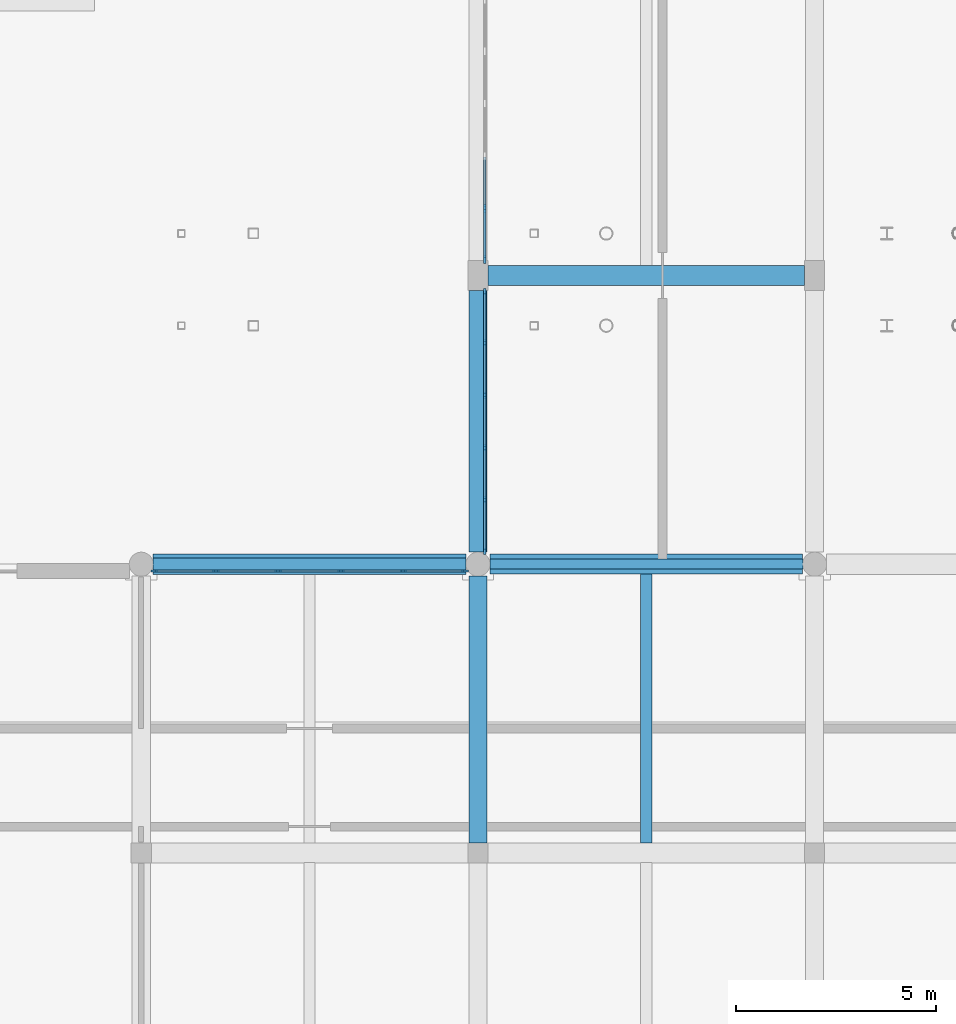
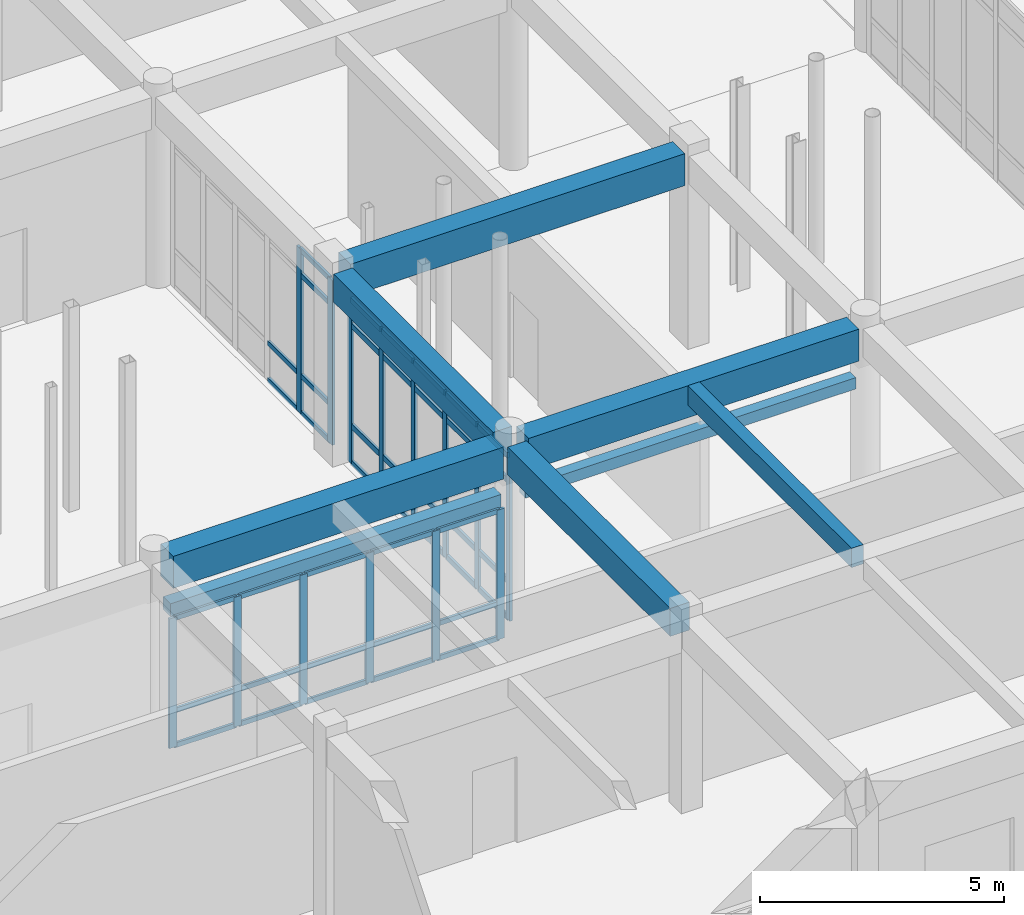
# One storey, part 38 of 121: 55 members, 8 beams, 3 elements without a shape of their own.
"""IFC4 building model written with IfcOpenShell, lengths in metres."""

from ifc_helpers import new_model, si_unit, direction, frame, origin, origin_2d, place, context, subcontext, project, spatial, rectangle, extrude, material, material_profile, profile_set, type_object, element, aggregate, save


model = new_model("IFC4")

# Units and contexts
model_context = context("Model", 3, precision=1e-05, world=origin(), true_north=direction((0.0, 1.0)))
body_context = subcontext(model_context, "Body", "Model", "MODEL_VIEW")
ifc_project = project(units=[si_unit("LENGTHUNIT", "METRE"), si_unit("AREAUNIT", "SQUARE_METRE"), si_unit("VOLUMEUNIT", "CUBIC_METRE"), si_unit("PLANEANGLEUNIT", "RADIAN"), si_unit("MASSUNIT", "GRAM", prefix="KILO")], contexts=[model_context])

# Site, building, storey
site_placement = place(None, origin())
site = spatial("IfcSite", under=ifc_project, at=site_placement, CompositionType="ELEMENT")
building_placement = place(site_placement, origin())
building = spatial("IfcBuilding", under=site, at=building_placement, Name="Malvenik Polytechnic", CompositionType="ELEMENT")
storey_placement = place(building_placement, origin())
storey = spatial("IfcBuildingStorey", under=building, at=storey_placement, Name="L00", CompositionType="ELEMENT", Elevation=0.0)

# Curtain wall, members
ifc_material_1 = material(Name="Anodised aluminium 6060-T6", Category="aluminium")
curtain_wall_type_1 = type_object("IfcCurtainWallType", Name="ARC-CW-CW-04", PredefinedType="NOTDEFINED", material=ifc_material_1)
curtain_wall_1_placement = place(storey_placement, origin())
curtain_wall_1 = element("IfcCurtainWall", 1, at=curtain_wall_1_placement, inside=storey, type_object=curtain_wall_type_1, Name="Unitised Curtain Wall CW-04 L00 #2", PredefinedType="NOTDEFINED")
ifc_material_2 = material(Name="Anodised aluminium", Category="aluminium")
ifc_material_profile_1 = material_profile(ifc_material_2, rectangle(XDim=0.06005859375, YDim=0.159912109375, at=origin_2d()), Name="ALU MULLION 60x160")
ifc_profile_set_1 = profile_set([ifc_material_profile_1], Name="Anodised aluminium")
member_type_1 = type_object("IfcMemberType", Name="ARC-CWM-160", PredefinedType="MULLION", material=ifc_profile_set_1)
member_1_placement = place(storey_placement, frame((75.77001953125, 36.327880859375, 0.0), z_axis=(0.0, 0.0, 1.0), x_axis=(-1.0, 0.0, 0.0)))
member_1 = element("IfcMember", 2, at=member_1_placement, type_object=member_type_1, Name="CW-04 mullion 1", PredefinedType="MULLION", context=body_context, shape_type="SweptSolid", body=[
    extrude(rectangle(XDim=0.06005859375, YDim=0.159912109375, at=origin_2d()), origin(), (0.0, 0.0, 1.0), 4.110107421875),
])
member_2_placement = place(storey_placement, frame((75.77001953125, 37.603759765625, 0.0), z_axis=(0.0, 0.0, 1.0), x_axis=(-1.0, 0.0, 0.0)))
member_2 = element("IfcMember", 3, at=member_2_placement, type_object=member_type_1, Name="CW-04 mullion 2", PredefinedType="MULLION", context=body_context, shape_type="SweptSolid", body=[
    extrude(rectangle(XDim=0.06005859375, YDim=0.159912109375, at=origin_2d()), origin(), (0.0, 0.0, 1.0), 4.110107421875),
])
member_3_placement = place(storey_placement, frame((75.77001953125, 38.90966796875, 0.0), z_axis=(0.0, 0.0, 1.0), x_axis=(-1.0, 0.0, 0.0)))
member_3 = element("IfcMember", 4, at=member_3_placement, type_object=member_type_1, Name="CW-04 mullion 3", PredefinedType="MULLION", context=body_context, shape_type="SweptSolid", body=[
    extrude(rectangle(XDim=0.06005859375, YDim=0.159912109375, at=origin_2d()), origin(), (0.0, 0.0, 1.0), 4.110107421875),
])
member_4_placement = place(storey_placement, frame((75.77001953125, 40.21533203125, 0.0), z_axis=(0.0, 0.0, 1.0), x_axis=(-1.0, 0.0, 0.0)))
member_4 = element("IfcMember", 5, at=member_4_placement, type_object=member_type_1, Name="CW-04 mullion 4", PredefinedType="MULLION", context=body_context, shape_type="SweptSolid", body=[
    extrude(rectangle(XDim=0.06005859375, YDim=0.159912109375, at=origin_2d()), origin(), (0.0, 0.0, 1.0), 4.110107421875),
])
member_5_placement = place(storey_placement, frame((75.77001953125, 41.521240234375, 0.0), z_axis=(0.0, 0.0, 1.0), x_axis=(-1.0, 0.0, 0.0)))
member_5 = element("IfcMember", 6, at=member_5_placement, type_object=member_type_1, Name="CW-04 mullion 5", PredefinedType="MULLION", context=body_context, shape_type="SweptSolid", body=[
    extrude(rectangle(XDim=0.06005859375, YDim=0.159912109375, at=origin_2d()), origin(), (0.0, 0.0, 1.0), 4.110107421875),
])
member_6_placement = place(storey_placement, frame((75.77001953125, 42.797119140625, 0.0), z_axis=(0.0, 0.0, 1.0), x_axis=(-1.0, 0.0, 0.0)))
member_6 = element("IfcMember", 7, at=member_6_placement, type_object=member_type_1, Name="CW-04 mullion 6", PredefinedType="MULLION", context=body_context, shape_type="SweptSolid", body=[
    extrude(rectangle(XDim=0.06005859375, YDim=0.159912109375, at=origin_2d()), origin(), (0.0, 0.0, 1.0), 4.110107421875),
])

curtain_wall_type_2 = type_object("IfcCurtainWallType", Name="ARC-CW-CW-03", PredefinedType="NOTDEFINED", material=ifc_material_1)
curtain_wall_2_placement = place(storey_placement, origin())
curtain_wall_2 = element("IfcCurtainWall", 8, at=curtain_wall_2_placement, inside=storey, type_object=curtain_wall_type_2, Name="Unitised Curtain Wall CW-03 L00 #1", PredefinedType="NOTDEFINED")
ifc_material_profile_2 = material_profile(ifc_material_2, rectangle(XDim=0.06005859375, YDim=0.179931640625, at=origin_2d()), Name="ALU MULLION 60x180")
ifc_profile_set_2 = profile_set([ifc_material_profile_2], Name="Anodised aluminium")
member_type_2 = type_object("IfcMemberType", Name="ARC-CWM-180", PredefinedType="MULLION", material=ifc_profile_set_2)
member_7_placement = place(storey_placement, frame((67.528076171875, 35.830078125, 0.0), z_axis=(0.0, 0.0, 1.0), x_axis=(0.0, 1.0, 0.0)))
member_7 = element("IfcMember", 9, at=member_7_placement, type_object=member_type_2, Name="CW-03 mullion 1", PredefinedType="MULLION", context=body_context, shape_type="SweptSolid", body=[
    extrude(rectangle(XDim=0.06005859375, YDim=0.179931640625, at=origin_2d()), origin(), (0.0, 0.0, 1.0), 3.239990234375),
])
member_8_placement = place(storey_placement, frame((69.058837890625, 35.830078125, 0.0), z_axis=(0.0, 0.0, 1.0), x_axis=(0.0, 1.0, 0.0)))
member_8 = element("IfcMember", 10, at=member_8_placement, type_object=member_type_2, Name="CW-03 mullion 2", PredefinedType="MULLION", context=body_context, shape_type="SweptSolid", body=[
    extrude(rectangle(XDim=0.06005859375, YDim=0.179931640625, at=origin_2d()), origin(), (0.0, 0.0, 1.0), 3.239990234375),
])
member_9_placement = place(storey_placement, frame((70.61962890625, 35.830078125, 0.0), z_axis=(0.0, 0.0, 1.0), x_axis=(0.0, 1.0, 0.0)))
member_9 = element("IfcMember", 11, at=member_9_placement, type_object=member_type_2, Name="CW-03 mullion 3", PredefinedType="MULLION", context=body_context, shape_type="SweptSolid", body=[
    extrude(rectangle(XDim=0.06005859375, YDim=0.179931640625, at=origin_2d()), origin(), (0.0, 0.0, 1.0), 3.239990234375),
])
member_10_placement = place(storey_placement, frame((72.180419921875, 35.830078125, 0.0), z_axis=(0.0, 0.0, 1.0), x_axis=(0.0, 1.0, 0.0)))
member_10 = element("IfcMember", 12, at=member_10_placement, type_object=member_type_2, Name="CW-03 mullion 4", PredefinedType="MULLION", context=body_context, shape_type="SweptSolid", body=[
    extrude(rectangle(XDim=0.06005859375, YDim=0.179931640625, at=origin_2d()), origin(), (0.0, 0.0, 1.0), 3.239990234375),
])
member_11_placement = place(storey_placement, frame((73.7412109375, 35.830078125, 0.0), z_axis=(0.0, 0.0, 1.0), x_axis=(0.0, 1.0, 0.0)))
member_11 = element("IfcMember", 13, at=member_11_placement, type_object=member_type_2, Name="CW-03 mullion 5", PredefinedType="MULLION", context=body_context, shape_type="SweptSolid", body=[
    extrude(rectangle(XDim=0.06005859375, YDim=0.179931640625, at=origin_2d()), origin(), (0.0, 0.0, 1.0), 3.239990234375),
])
member_12_placement = place(storey_placement, frame((75.27197265625, 35.830078125, 0.0), z_axis=(0.0, 0.0, 1.0), x_axis=(0.0, 1.0, 0.0)))
member_12 = element("IfcMember", 14, at=member_12_placement, type_object=member_type_2, Name="CW-03 mullion 6", PredefinedType="MULLION", context=body_context, shape_type="SweptSolid", body=[
    extrude(rectangle(XDim=0.06005859375, YDim=0.179931640625, at=origin_2d()), origin(), (0.0, 0.0, 1.0), 3.239990234375),
])

curtain_wall_3_placement = place(storey_placement, origin())
curtain_wall_3 = element("IfcCurtainWall", 15, at=curtain_wall_3_placement, inside=storey, type_object=curtain_wall_type_1, Name="Unitised Curtain Wall CW-04 L00 #3", PredefinedType="NOTDEFINED")
ifc_material_profile_3 = material_profile(ifc_material_2, rectangle(XDim=0.06005859375, YDim=0.199951171875, at=origin_2d()), Name="ALU MULLION 60x200")
ifc_profile_set_3 = profile_set([ifc_material_profile_3], Name="Anodised aluminium")
member_type_3 = type_object("IfcMemberType", Name="ARC-CWM-200", PredefinedType="MULLION", material=ifc_profile_set_3)
member_13_placement = place(storey_placement, frame((75.77001953125, 43.60302734375, 0.0), z_axis=(0.0, 0.0, 1.0), x_axis=(-1.0, 0.0, 0.0)))
member_13 = element("IfcMember", 16, at=member_13_placement, type_object=member_type_3, Name="CW-04 mullion 1", PredefinedType="MULLION", context=body_context, shape_type="SweptSolid", body=[
    extrude(rectangle(XDim=0.06005859375, YDim=0.199951171875, at=origin_2d()), origin(), (0.0, 0.0, 1.0), 4.110107421875),
])
member_14_placement = place(storey_placement, frame((75.77001953125, 44.87890625, 0.0), z_axis=(0.0, 0.0, 1.0), x_axis=(-1.0, 0.0, 0.0)))
member_14 = element("IfcMember", 17, at=member_14_placement, type_object=member_type_3, Name="CW-04 mullion 2", PredefinedType="MULLION", context=body_context, shape_type="SweptSolid", body=[
    extrude(rectangle(XDim=0.06005859375, YDim=0.199951171875, at=origin_2d()), origin(), (0.0, 0.0, 1.0), 4.110107421875),
])

# Member
ifc_material_profile_4 = material_profile(ifc_material_2, rectangle(XDim=0.06005859375, YDim=0.1201171875, at=origin_2d()), Name="ALU TRANSOM 60x120")
ifc_profile_set_4 = profile_set([ifc_material_profile_4], Name="Anodised aluminium")
member_type_4 = type_object("IfcMemberType", Name="ARC-CWT-120", PredefinedType="USERDEFINED", material=ifc_profile_set_4)
member_15_placement = place(storey_placement, frame((67.55810546875, 35.830078125, 0.030029296875), z_axis=(1.0, 0.0, 0.0), x_axis=(0.0, 1.0, 0.0)))
member_15 = element("IfcMember", 18, at=member_15_placement, type_object=member_type_4, Name="CW-03 transom 1.1", ObjectType="TRANSOM", PredefinedType="USERDEFINED", context=body_context, shape_type="SweptSolid", body=[
    extrude(rectangle(XDim=0.06005859375, YDim=0.1201171875, at=origin_2d()), origin(), (0.0, 0.0, 1.0), 1.470703125),
])

member_16_placement = place(storey_placement, frame((67.55810546875, 35.830078125, 0.89990234375), z_axis=(1.0, 0.0, 0.0), x_axis=(0.0, 1.0, 0.0)))
member_16 = element("IfcMember", 19, at=member_16_placement, type_object=member_type_4, Name="CW-03 transom 1.2", ObjectType="TRANSOM", PredefinedType="USERDEFINED", context=body_context, shape_type="SweptSolid", body=[
    extrude(rectangle(XDim=0.06005859375, YDim=0.1201171875, at=origin_2d()), origin(), (0.0, 0.0, 1.0), 1.470703125),
])

member_17_placement = place(storey_placement, frame((67.55810546875, 35.830078125, 3.2099609375), z_axis=(1.0, 0.0, 0.0), x_axis=(0.0, 1.0, 0.0)))
member_17 = element("IfcMember", 20, at=member_17_placement, type_object=member_type_4, Name="CW-03 transom 1.3", ObjectType="TRANSOM", PredefinedType="USERDEFINED", context=body_context, shape_type="SweptSolid", body=[
    extrude(rectangle(XDim=0.06005859375, YDim=0.1201171875, at=origin_2d()), origin(), (0.0, 0.0, 1.0), 1.470703125),
])

member_18_placement = place(storey_placement, frame((69.0888671875, 35.830078125, 0.030029296875), z_axis=(1.0, 0.0, 0.0), x_axis=(0.0, 1.0, 0.0)))
member_18 = element("IfcMember", 21, at=member_18_placement, type_object=member_type_4, Name="CW-03 transom 2.1", ObjectType="TRANSOM", PredefinedType="USERDEFINED", context=body_context, shape_type="SweptSolid", body=[
    extrude(rectangle(XDim=0.06005859375, YDim=0.1201171875, at=origin_2d()), origin(), (0.0, 0.0, 1.0), 1.500732421875),
])

member_19_placement = place(storey_placement, frame((69.0888671875, 35.830078125, 0.89990234375), z_axis=(1.0, 0.0, 0.0), x_axis=(0.0, 1.0, 0.0)))
member_19 = element("IfcMember", 22, at=member_19_placement, type_object=member_type_4, Name="CW-03 transom 2.2", ObjectType="TRANSOM", PredefinedType="USERDEFINED", context=body_context, shape_type="SweptSolid", body=[
    extrude(rectangle(XDim=0.06005859375, YDim=0.1201171875, at=origin_2d()), origin(), (0.0, 0.0, 1.0), 1.500732421875),
])

member_20_placement = place(storey_placement, frame((69.0888671875, 35.830078125, 3.2099609375), z_axis=(1.0, 0.0, 0.0), x_axis=(0.0, 1.0, 0.0)))
member_20 = element("IfcMember", 23, at=member_20_placement, type_object=member_type_4, Name="CW-03 transom 2.3", ObjectType="TRANSOM", PredefinedType="USERDEFINED", context=body_context, shape_type="SweptSolid", body=[
    extrude(rectangle(XDim=0.06005859375, YDim=0.1201171875, at=origin_2d()), origin(), (0.0, 0.0, 1.0), 1.500732421875),
])

member_21_placement = place(storey_placement, frame((70.649658203125, 35.830078125, 0.030029296875), z_axis=(1.0, 0.0, 0.0), x_axis=(0.0, 1.0, 0.0)))
member_21 = element("IfcMember", 24, at=member_21_placement, type_object=member_type_4, Name="CW-03 transom 3.1", ObjectType="TRANSOM", PredefinedType="USERDEFINED", context=body_context, shape_type="SweptSolid", body=[
    extrude(rectangle(XDim=0.06005859375, YDim=0.1201171875, at=origin_2d()), origin(), (0.0, 0.0, 1.0), 1.500732421875),
])

member_22_placement = place(storey_placement, frame((70.649658203125, 35.830078125, 0.89990234375), z_axis=(1.0, 0.0, 0.0), x_axis=(0.0, 1.0, 0.0)))
member_22 = element("IfcMember", 25, at=member_22_placement, type_object=member_type_4, Name="CW-03 transom 3.2", ObjectType="TRANSOM", PredefinedType="USERDEFINED", context=body_context, shape_type="SweptSolid", body=[
    extrude(rectangle(XDim=0.06005859375, YDim=0.1201171875, at=origin_2d()), origin(), (0.0, 0.0, 1.0), 1.500732421875),
])

member_23_placement = place(storey_placement, frame((70.649658203125, 35.830078125, 3.2099609375), z_axis=(1.0, 0.0, 0.0), x_axis=(0.0, 1.0, 0.0)))
member_23 = element("IfcMember", 26, at=member_23_placement, type_object=member_type_4, Name="CW-03 transom 3.3", ObjectType="TRANSOM", PredefinedType="USERDEFINED", context=body_context, shape_type="SweptSolid", body=[
    extrude(rectangle(XDim=0.06005859375, YDim=0.1201171875, at=origin_2d()), origin(), (0.0, 0.0, 1.0), 1.500732421875),
])

member_24_placement = place(storey_placement, frame((72.21044921875, 35.830078125, 0.030029296875), z_axis=(1.0, 0.0, 0.0), x_axis=(0.0, 1.0, 0.0)))
member_24 = element("IfcMember", 27, at=member_24_placement, type_object=member_type_4, Name="CW-03 transom 4.1", ObjectType="TRANSOM", PredefinedType="USERDEFINED", context=body_context, shape_type="SweptSolid", body=[
    extrude(rectangle(XDim=0.06005859375, YDim=0.1201171875, at=origin_2d()), origin(), (0.0, 0.0, 1.0), 1.500732421875),
])

member_25_placement = place(storey_placement, frame((72.21044921875, 35.830078125, 0.89990234375), z_axis=(1.0, 0.0, 0.0), x_axis=(0.0, 1.0, 0.0)))
member_25 = element("IfcMember", 28, at=member_25_placement, type_object=member_type_4, Name="CW-03 transom 4.2", ObjectType="TRANSOM", PredefinedType="USERDEFINED", context=body_context, shape_type="SweptSolid", body=[
    extrude(rectangle(XDim=0.06005859375, YDim=0.1201171875, at=origin_2d()), origin(), (0.0, 0.0, 1.0), 1.500732421875),
])

member_26_placement = place(storey_placement, frame((72.21044921875, 35.830078125, 3.2099609375), z_axis=(1.0, 0.0, 0.0), x_axis=(0.0, 1.0, 0.0)))
member_26 = element("IfcMember", 29, at=member_26_placement, type_object=member_type_4, Name="CW-03 transom 4.3", ObjectType="TRANSOM", PredefinedType="USERDEFINED", context=body_context, shape_type="SweptSolid", body=[
    extrude(rectangle(XDim=0.06005859375, YDim=0.1201171875, at=origin_2d()), origin(), (0.0, 0.0, 1.0), 1.500732421875),
])

member_27_placement = place(storey_placement, frame((73.771240234375, 35.830078125, 0.030029296875), z_axis=(1.0, 0.0, 0.0), x_axis=(0.0, 1.0, 0.0)))
member_27 = element("IfcMember", 30, at=member_27_placement, type_object=member_type_4, Name="CW-03 transom 5.1", ObjectType="TRANSOM", PredefinedType="USERDEFINED", context=body_context, shape_type="SweptSolid", body=[
    extrude(rectangle(XDim=0.06005859375, YDim=0.1201171875, at=origin_2d()), origin(), (0.0, 0.0, 1.0), 1.470703125),
])

member_28_placement = place(storey_placement, frame((73.771240234375, 35.830078125, 0.89990234375), z_axis=(1.0, 0.0, 0.0), x_axis=(0.0, 1.0, 0.0)))
member_28 = element("IfcMember", 31, at=member_28_placement, type_object=member_type_4, Name="CW-03 transom 5.2", ObjectType="TRANSOM", PredefinedType="USERDEFINED", context=body_context, shape_type="SweptSolid", body=[
    extrude(rectangle(XDim=0.06005859375, YDim=0.1201171875, at=origin_2d()), origin(), (0.0, 0.0, 1.0), 1.470703125),
])

member_29_placement = place(storey_placement, frame((73.771240234375, 35.830078125, 3.2099609375), z_axis=(1.0, 0.0, 0.0), x_axis=(0.0, 1.0, 0.0)))
member_29 = element("IfcMember", 32, at=member_29_placement, type_object=member_type_4, Name="CW-03 transom 5.3", ObjectType="TRANSOM", PredefinedType="USERDEFINED", context=body_context, shape_type="SweptSolid", body=[
    extrude(rectangle(XDim=0.06005859375, YDim=0.1201171875, at=origin_2d()), origin(), (0.0, 0.0, 1.0), 1.470703125),
])

aggregate(curtain_wall_2, [member_7, member_8, member_9, member_10, member_11, member_12, member_15, member_16, member_17, member_18, member_19, member_20, member_21, member_22, member_23, member_24, member_25, member_26, member_27, member_28, member_29])

member_30_placement = place(storey_placement, frame((75.77001953125, 43.633056640625, 0.030029296875), z_axis=(0.0, 1.0, 0.0), x_axis=(-1.0, 0.0, 0.0)))
member_30 = element("IfcMember", 33, at=member_30_placement, type_object=member_type_4, Name="CW-04 transom 1.1", ObjectType="TRANSOM", PredefinedType="USERDEFINED", context=body_context, shape_type="SweptSolid", body=[
    extrude(rectangle(XDim=0.06005859375, YDim=0.1201171875, at=origin_2d()), origin(), (0.0, 0.0, 1.0), 1.2158203125),
])

member_31_placement = place(storey_placement, frame((75.77001953125, 43.633056640625, 0.949951171875), z_axis=(0.0, 1.0, 0.0), x_axis=(-1.0, 0.0, 0.0)))
member_31 = element("IfcMember", 34, at=member_31_placement, type_object=member_type_4, Name="CW-04 transom 1.2", ObjectType="TRANSOM", PredefinedType="USERDEFINED", context=body_context, shape_type="SweptSolid", body=[
    extrude(rectangle(XDim=0.06005859375, YDim=0.1201171875, at=origin_2d()), origin(), (0.0, 0.0, 1.0), 1.2158203125),
])

member_32_placement = place(storey_placement, frame((75.77001953125, 43.633056640625, 3.4599609375), z_axis=(0.0, 1.0, 0.0), x_axis=(-1.0, 0.0, 0.0)))
member_32 = element("IfcMember", 35, at=member_32_placement, type_object=member_type_4, Name="CW-04 transom 1.3", ObjectType="TRANSOM", PredefinedType="USERDEFINED", context=body_context, shape_type="SweptSolid", body=[
    extrude(rectangle(XDim=0.06005859375, YDim=0.1201171875, at=origin_2d()), origin(), (0.0, 0.0, 1.0), 1.2158203125),
])

member_33_placement = place(storey_placement, frame((75.77001953125, 43.633056640625, 4.080078125), z_axis=(0.0, 1.0, 0.0), x_axis=(-1.0, 0.0, 0.0)))
member_33 = element("IfcMember", 36, at=member_33_placement, type_object=member_type_4, Name="CW-04 transom 1.4", ObjectType="TRANSOM", PredefinedType="USERDEFINED", context=body_context, shape_type="SweptSolid", body=[
    extrude(rectangle(XDim=0.06005859375, YDim=0.1201171875, at=origin_2d()), origin(), (0.0, 0.0, 1.0), 1.2158203125),
])

member_34_placement = place(storey_placement, frame((75.77001953125, 44.90869140625, 0.030029296875), z_axis=(0.0, 1.0, 0.0), x_axis=(-1.0, 0.0, 0.0)))
member_34 = element("IfcMember", 37, at=member_34_placement, type_object=member_type_4, Name="CW-04 transom 2.1", ObjectType="TRANSOM", PredefinedType="USERDEFINED", context=body_context, shape_type="SweptSolid", body=[
    extrude(rectangle(XDim=0.06005859375, YDim=0.1201171875, at=origin_2d()), origin(), (0.0, 0.0, 1.0), 1.245849609375),
])

member_35_placement = place(storey_placement, frame((75.77001953125, 44.90869140625, 0.949951171875), z_axis=(0.0, 1.0, 0.0), x_axis=(-1.0, 0.0, 0.0)))
member_35 = element("IfcMember", 38, at=member_35_placement, type_object=member_type_4, Name="CW-04 transom 2.2", ObjectType="TRANSOM", PredefinedType="USERDEFINED", context=body_context, shape_type="SweptSolid", body=[
    extrude(rectangle(XDim=0.06005859375, YDim=0.1201171875, at=origin_2d()), origin(), (0.0, 0.0, 1.0), 1.245849609375),
])

aggregate(curtain_wall_3, [member_13, member_14, member_30, member_31, member_32, member_33, member_34, member_35])

ifc_material_profile_5 = material_profile(ifc_material_2, rectangle(XDim=0.06005859375, YDim=0.139892578125, at=origin_2d()), Name="ALU TRANSOM 60x140")
ifc_profile_set_5 = profile_set([ifc_material_profile_5], Name="Anodised aluminium")
member_type_5 = type_object("IfcMemberType", Name="ARC-CWT-140", PredefinedType="USERDEFINED", material=ifc_profile_set_5)
member_36_placement = place(storey_placement, frame((75.77001953125, 36.35791015625, 0.030029296875), z_axis=(0.0, 1.0, 0.0), x_axis=(-1.0, 0.0, 0.0)))
member_36 = element("IfcMember", 39, at=member_36_placement, type_object=member_type_5, Name="CW-04 transom 1.1", ObjectType="TRANSOM", PredefinedType="USERDEFINED", context=body_context, shape_type="SweptSolid", body=[
    extrude(rectangle(XDim=0.06005859375, YDim=0.139892578125, at=origin_2d()), origin(), (0.0, 0.0, 1.0), 1.2158203125),
])

member_37_placement = place(storey_placement, frame((75.77001953125, 36.35791015625, 0.949951171875), z_axis=(0.0, 1.0, 0.0), x_axis=(-1.0, 0.0, 0.0)))
member_37 = element("IfcMember", 40, at=member_37_placement, type_object=member_type_5, Name="CW-04 transom 1.2", ObjectType="TRANSOM", PredefinedType="USERDEFINED", context=body_context, shape_type="SweptSolid", body=[
    extrude(rectangle(XDim=0.06005859375, YDim=0.139892578125, at=origin_2d()), origin(), (0.0, 0.0, 1.0), 1.2158203125),
])

member_38_placement = place(storey_placement, frame((75.77001953125, 36.35791015625, 3.4599609375), z_axis=(0.0, 1.0, 0.0), x_axis=(-1.0, 0.0, 0.0)))
member_38 = element("IfcMember", 41, at=member_38_placement, type_object=member_type_5, Name="CW-04 transom 1.3", ObjectType="TRANSOM", PredefinedType="USERDEFINED", context=body_context, shape_type="SweptSolid", body=[
    extrude(rectangle(XDim=0.06005859375, YDim=0.139892578125, at=origin_2d()), origin(), (0.0, 0.0, 1.0), 1.2158203125),
])

member_39_placement = place(storey_placement, frame((75.77001953125, 36.35791015625, 4.080078125), z_axis=(0.0, 1.0, 0.0), x_axis=(-1.0, 0.0, 0.0)))
member_39 = element("IfcMember", 42, at=member_39_placement, type_object=member_type_5, Name="CW-04 transom 1.4", ObjectType="TRANSOM", PredefinedType="USERDEFINED", context=body_context, shape_type="SweptSolid", body=[
    extrude(rectangle(XDim=0.06005859375, YDim=0.139892578125, at=origin_2d()), origin(), (0.0, 0.0, 1.0), 1.2158203125),
])

member_40_placement = place(storey_placement, frame((75.77001953125, 37.6337890625, 0.030029296875), z_axis=(0.0, 1.0, 0.0), x_axis=(-1.0, 0.0, 0.0)))
member_40 = element("IfcMember", 43, at=member_40_placement, type_object=member_type_5, Name="CW-04 transom 2.1", ObjectType="TRANSOM", PredefinedType="USERDEFINED", context=body_context, shape_type="SweptSolid", body=[
    extrude(rectangle(XDim=0.06005859375, YDim=0.139892578125, at=origin_2d()), origin(), (0.0, 0.0, 1.0), 1.245849609375),
])

member_41_placement = place(storey_placement, frame((75.77001953125, 37.6337890625, 0.949951171875), z_axis=(0.0, 1.0, 0.0), x_axis=(-1.0, 0.0, 0.0)))
member_41 = element("IfcMember", 44, at=member_41_placement, type_object=member_type_5, Name="CW-04 transom 2.2", ObjectType="TRANSOM", PredefinedType="USERDEFINED", context=body_context, shape_type="SweptSolid", body=[
    extrude(rectangle(XDim=0.06005859375, YDim=0.139892578125, at=origin_2d()), origin(), (0.0, 0.0, 1.0), 1.245849609375),
])

member_42_placement = place(storey_placement, frame((75.77001953125, 37.6337890625, 3.4599609375), z_axis=(0.0, 1.0, 0.0), x_axis=(-1.0, 0.0, 0.0)))
member_42 = element("IfcMember", 45, at=member_42_placement, type_object=member_type_5, Name="CW-04 transom 2.3", ObjectType="TRANSOM", PredefinedType="USERDEFINED", context=body_context, shape_type="SweptSolid", body=[
    extrude(rectangle(XDim=0.06005859375, YDim=0.139892578125, at=origin_2d()), origin(), (0.0, 0.0, 1.0), 1.245849609375),
])

member_43_placement = place(storey_placement, frame((75.77001953125, 37.6337890625, 4.080078125), z_axis=(0.0, 1.0, 0.0), x_axis=(-1.0, 0.0, 0.0)))
member_43 = element("IfcMember", 46, at=member_43_placement, type_object=member_type_5, Name="CW-04 transom 2.4", ObjectType="TRANSOM", PredefinedType="USERDEFINED", context=body_context, shape_type="SweptSolid", body=[
    extrude(rectangle(XDim=0.06005859375, YDim=0.139892578125, at=origin_2d()), origin(), (0.0, 0.0, 1.0), 1.245849609375),
])

member_44_placement = place(storey_placement, frame((75.77001953125, 38.939697265625, 0.030029296875), z_axis=(0.0, 1.0, 0.0), x_axis=(-1.0, 0.0, 0.0)))
member_44 = element("IfcMember", 47, at=member_44_placement, type_object=member_type_5, Name="CW-04 transom 3.1", ObjectType="TRANSOM", PredefinedType="USERDEFINED", context=body_context, shape_type="SweptSolid", body=[
    extrude(rectangle(XDim=0.06005859375, YDim=0.139892578125, at=origin_2d()), origin(), (0.0, 0.0, 1.0), 1.24560546875),
])

member_45_placement = place(storey_placement, frame((75.77001953125, 38.939697265625, 0.949951171875), z_axis=(0.0, 1.0, 0.0), x_axis=(-1.0, 0.0, 0.0)))
member_45 = element("IfcMember", 48, at=member_45_placement, type_object=member_type_5, Name="CW-04 transom 3.2", ObjectType="TRANSOM", PredefinedType="USERDEFINED", context=body_context, shape_type="SweptSolid", body=[
    extrude(rectangle(XDim=0.06005859375, YDim=0.139892578125, at=origin_2d()), origin(), (0.0, 0.0, 1.0), 1.24560546875),
])

member_46_placement = place(storey_placement, frame((75.77001953125, 38.939697265625, 3.4599609375), z_axis=(0.0, 1.0, 0.0), x_axis=(-1.0, 0.0, 0.0)))
member_46 = element("IfcMember", 49, at=member_46_placement, type_object=member_type_5, Name="CW-04 transom 3.3", ObjectType="TRANSOM", PredefinedType="USERDEFINED", context=body_context, shape_type="SweptSolid", body=[
    extrude(rectangle(XDim=0.06005859375, YDim=0.139892578125, at=origin_2d()), origin(), (0.0, 0.0, 1.0), 1.24560546875),
])

member_47_placement = place(storey_placement, frame((75.77001953125, 38.939697265625, 4.080078125), z_axis=(0.0, 1.0, 0.0), x_axis=(-1.0, 0.0, 0.0)))
member_47 = element("IfcMember", 50, at=member_47_placement, type_object=member_type_5, Name="CW-04 transom 3.4", ObjectType="TRANSOM", PredefinedType="USERDEFINED", context=body_context, shape_type="SweptSolid", body=[
    extrude(rectangle(XDim=0.06005859375, YDim=0.139892578125, at=origin_2d()), origin(), (0.0, 0.0, 1.0), 1.24560546875),
])

member_48_placement = place(storey_placement, frame((75.77001953125, 40.245361328125, 0.030029296875), z_axis=(0.0, 1.0, 0.0), x_axis=(-1.0, 0.0, 0.0)))
member_48 = element("IfcMember", 51, at=member_48_placement, type_object=member_type_5, Name="CW-04 transom 4.1", ObjectType="TRANSOM", PredefinedType="USERDEFINED", context=body_context, shape_type="SweptSolid", body=[
    extrude(rectangle(XDim=0.06005859375, YDim=0.139892578125, at=origin_2d()), origin(), (0.0, 0.0, 1.0), 1.245849609375),
])

member_49_placement = place(storey_placement, frame((75.77001953125, 40.245361328125, 0.949951171875), z_axis=(0.0, 1.0, 0.0), x_axis=(-1.0, 0.0, 0.0)))
member_49 = element("IfcMember", 52, at=member_49_placement, type_object=member_type_5, Name="CW-04 transom 4.2", ObjectType="TRANSOM", PredefinedType="USERDEFINED", context=body_context, shape_type="SweptSolid", body=[
    extrude(rectangle(XDim=0.06005859375, YDim=0.139892578125, at=origin_2d()), origin(), (0.0, 0.0, 1.0), 1.245849609375),
])

member_50_placement = place(storey_placement, frame((75.77001953125, 40.245361328125, 3.4599609375), z_axis=(0.0, 1.0, 0.0), x_axis=(-1.0, 0.0, 0.0)))
member_50 = element("IfcMember", 53, at=member_50_placement, type_object=member_type_5, Name="CW-04 transom 4.3", ObjectType="TRANSOM", PredefinedType="USERDEFINED", context=body_context, shape_type="SweptSolid", body=[
    extrude(rectangle(XDim=0.06005859375, YDim=0.139892578125, at=origin_2d()), origin(), (0.0, 0.0, 1.0), 1.245849609375),
])

member_51_placement = place(storey_placement, frame((75.77001953125, 40.245361328125, 4.080078125), z_axis=(0.0, 1.0, 0.0), x_axis=(-1.0, 0.0, 0.0)))
member_51 = element("IfcMember", 54, at=member_51_placement, type_object=member_type_5, Name="CW-04 transom 4.4", ObjectType="TRANSOM", PredefinedType="USERDEFINED", context=body_context, shape_type="SweptSolid", body=[
    extrude(rectangle(XDim=0.06005859375, YDim=0.139892578125, at=origin_2d()), origin(), (0.0, 0.0, 1.0), 1.245849609375),
])

member_52_placement = place(storey_placement, frame((75.77001953125, 41.55126953125, 0.030029296875), z_axis=(0.0, 1.0, 0.0), x_axis=(-1.0, 0.0, 0.0)))
member_52 = element("IfcMember", 55, at=member_52_placement, type_object=member_type_5, Name="CW-04 transom 5.1", ObjectType="TRANSOM", PredefinedType="USERDEFINED", context=body_context, shape_type="SweptSolid", body=[
    extrude(rectangle(XDim=0.06005859375, YDim=0.139892578125, at=origin_2d()), origin(), (0.0, 0.0, 1.0), 1.2158203125),
])

member_53_placement = place(storey_placement, frame((75.77001953125, 41.55126953125, 0.949951171875), z_axis=(0.0, 1.0, 0.0), x_axis=(-1.0, 0.0, 0.0)))
member_53 = element("IfcMember", 56, at=member_53_placement, type_object=member_type_5, Name="CW-04 transom 5.2", ObjectType="TRANSOM", PredefinedType="USERDEFINED", context=body_context, shape_type="SweptSolid", body=[
    extrude(rectangle(XDim=0.06005859375, YDim=0.139892578125, at=origin_2d()), origin(), (0.0, 0.0, 1.0), 1.2158203125),
])

member_54_placement = place(storey_placement, frame((75.77001953125, 41.55126953125, 3.4599609375), z_axis=(0.0, 1.0, 0.0), x_axis=(-1.0, 0.0, 0.0)))
member_54 = element("IfcMember", 57, at=member_54_placement, type_object=member_type_5, Name="CW-04 transom 5.3", ObjectType="TRANSOM", PredefinedType="USERDEFINED", context=body_context, shape_type="SweptSolid", body=[
    extrude(rectangle(XDim=0.06005859375, YDim=0.139892578125, at=origin_2d()), origin(), (0.0, 0.0, 1.0), 1.2158203125),
])

member_55_placement = place(storey_placement, frame((75.77001953125, 41.55126953125, 4.080078125), z_axis=(0.0, 1.0, 0.0), x_axis=(-1.0, 0.0, 0.0)))
member_55 = element("IfcMember", 58, at=member_55_placement, type_object=member_type_5, Name="CW-04 transom 5.4", ObjectType="TRANSOM", PredefinedType="USERDEFINED", context=body_context, shape_type="SweptSolid", body=[
    extrude(rectangle(XDim=0.06005859375, YDim=0.139892578125, at=origin_2d()), origin(), (0.0, 0.0, 1.0), 1.2158203125),
])

aggregate(curtain_wall_1, [member_1, member_2, member_3, member_4, member_5, member_6, member_36, member_37, member_38, member_39, member_40, member_41, member_42, member_43, member_44, member_45, member_46, member_47, member_48, member_49, member_50, member_51, member_52, member_53, member_54, member_55])

# Beams
ifc_material_3 = material(Name="Concrete C35/45", Category="concrete")
ifc_material_profile_6 = material_profile(ifc_material_3, rectangle(XDim=0.5, YDim=0.800048828125, at=origin_2d()), Name="RC BM 500x800")
ifc_profile_set_6 = profile_set([ifc_material_profile_6], Name="Concrete C35/45")
beam_type_1 = type_object("IfcBeamType", Name="STR-BM-B-02", PredefinedType="BEAM", material=ifc_profile_set_6)
beam_1_placement = place(storey_placement, frame((75.89794921875, 36.0, 4.419921875), z_axis=(1.0, 0.0, 0.0), x_axis=(0.0, 1.0, 0.0)))
element("IfcBeam", 59, at=beam_1_placement, inside=storey, type_object=beam_type_1, Name="Primary Beam B-02 L00 #562", PredefinedType="BEAM", context=body_context, shape_type="SweptSolid", body=[
    extrude(rectangle(XDim=0.5, YDim=0.800048828125, at=origin_2d()), origin(), (0.0, 0.0, 1.0), 7.803955078125),
])
beam_2_placement = place(storey_placement, frame((75.847900390625, 43.199951171875, 4.419921875), z_axis=(1.0, 0.0, 0.0), x_axis=(0.0, 1.0, 0.0)))
element("IfcBeam", 60, at=beam_2_placement, inside=storey, type_object=beam_type_1, Name="Primary Beam B-02 L00 #569", PredefinedType="BEAM", context=body_context, shape_type="SweptSolid", body=[
    extrude(rectangle(XDim=0.5, YDim=0.800048828125, at=origin_2d()), origin(), (0.0, 0.0, 1.0), 7.904052734375),
])
ifc_material_profile_7 = material_profile(ifc_material_3, rectangle(XDim=0.449951171875, YDim=0.699951171875, at=origin_2d()), Name="RC BM 450x700")
ifc_profile_set_7 = profile_set([ifc_material_profile_7], Name="Concrete C35/45")
beam_type_2 = type_object("IfcBeamType", Name="STR-BM-B-04", PredefinedType="BEAM", material=ifc_profile_set_7)
beam_3_placement = place(storey_placement, frame((75.60009765625, 29.048095703125, 4.469970703125), z_axis=(0.0, 1.0, 0.0), x_axis=(-1.0, 0.0, 0.0)))
element("IfcBeam", 61, at=beam_3_placement, inside=storey, type_object=beam_type_2, Name="Transverse Beam B-04 L00 #767", PredefinedType="BEAM", context=body_context, shape_type="SweptSolid", body=[
    extrude(rectangle(XDim=0.449951171875, YDim=0.699951171875, at=origin_2d()), origin(), (0.0, 0.0, 1.0), 6.65380859375),
])
beam_4_placement = place(storey_placement, frame((75.60009765625, 36.298095703125, 4.469970703125), z_axis=(0.0, 1.0, 0.0), x_axis=(-1.0, 0.0, 0.0)))
element("IfcBeam", 62, at=beam_4_placement, inside=storey, type_object=beam_type_2, Name="Transverse Beam B-04 L00 #768", PredefinedType="BEAM", context=body_context, shape_type="SweptSolid", body=[
    extrude(rectangle(XDim=0.449951171875, YDim=0.699951171875, at=origin_2d()), origin(), (0.0, 0.0, 1.0), 6.52880859375),
])
ifc_material_4 = material(Name="Concrete C30/37", Category="concrete")
ifc_material_profile_8 = material_profile(ifc_material_4, rectangle(XDim=0.280029296875, YDim=0.47998046875, at=origin_2d()), Name="RC JST 280x480")
ifc_profile_set_8 = profile_set([ifc_material_profile_8], Name="Concrete C30/37")
beam_type_3 = type_object("IfcBeamType", Name="STR-BM-J-01", PredefinedType="JOIST", material=ifc_profile_set_8)
beam_5_placement = place(storey_placement, frame((79.800048828125, 29.048095703125, 4.580078125), z_axis=(0.0, 1.0, 0.0), x_axis=(-1.0, 0.0, 0.0)))
element("IfcBeam", 63, at=beam_5_placement, inside=storey, type_object=beam_type_3, Name="Secondary Rib Joist J-01 L00 #900", PredefinedType="JOIST", context=body_context, shape_type="SweptSolid", body=[
    extrude(rectangle(XDim=0.280029296875, YDim=0.47998046875, at=origin_2d()), origin(), (0.0, 0.0, 1.0), 6.703857421875),
])
ifc_material_5 = material(Name="Precast concrete C40/50", Category="concrete")
ifc_material_profile_9 = material_profile(ifc_material_5, rectangle(XDim=0.300048828125, YDim=0.320068359375, at=origin_2d()), Name="PC LNT 300x320")
ifc_profile_set_9 = profile_set([ifc_material_profile_9], Name="Precast concrete C40/50")
beam_type_4 = type_object("IfcBeamType", Name="STR-BM-LN-02", PredefinedType="LINTEL", material=ifc_profile_set_9)
beam_6_placement = place(storey_placement, frame((67.4951171875, 36.0, 3.409912109375), z_axis=(1.0, 0.0, 0.0), x_axis=(0.0, 1.0, 0.0)))
element("IfcBeam", 64, at=beam_6_placement, inside=storey, type_object=beam_type_4, Name="Colonnade Transom Lintel LN-02 #5", PredefinedType="LINTEL", context=body_context, shape_type="SweptSolid", body=[
    extrude(rectangle(XDim=0.300048828125, YDim=0.320068359375, at=origin_2d()), origin(), (0.0, 0.0, 1.0), 7.809814453125),
])
ifc_material_profile_10 = material_profile(ifc_material_5, rectangle(XDim=0.25, YDim=0.280029296875, at=origin_2d()), Name="PC LNT 250x280")
ifc_profile_set_10 = profile_set([ifc_material_profile_10], Name="Precast concrete C40/50")
beam_type_5 = type_object("IfcBeamType", Name="STR-BM-LN-03", PredefinedType="LINTEL", material=ifc_profile_set_10)
beam_7_placement = place(storey_placement, frame((75.89501953125, 36.0, 3.389892578125), z_axis=(1.0, 0.0, 0.0), x_axis=(0.0, 1.0, 0.0)))
element("IfcBeam", 65, at=beam_7_placement, inside=storey, type_object=beam_type_5, Name="Colonnade Transom Lintel LN-03 #6", PredefinedType="LINTEL", context=body_context, shape_type="SweptSolid", body=[
    extrude(rectangle(XDim=0.25, YDim=0.280029296875, at=origin_2d()), origin(), (0.0, 0.0, 1.0), 7.81005859375),
])
ifc_material_profile_11 = material_profile(ifc_material_5, rectangle(XDim=0.52001953125, YDim=0.800048828125, at=origin_2d()), Name="PC SPN 520x800")
ifc_profile_set_11 = profile_set([ifc_material_profile_11], Name="Precast concrete C40/50")
beam_type_6 = type_object("IfcBeamType", Name="STR-BM-SP-01", PredefinedType="SPANDREL", material=ifc_profile_set_11)
beam_8_placement = place(storey_placement, frame((67.498046875, 36.0, 4.419921875), z_axis=(1.0, 0.0, 0.0), x_axis=(0.0, 1.0, 0.0)))
element("IfcBeam", 66, at=beam_8_placement, inside=storey, type_object=beam_type_6, Name="Primary Beam SP-01 L00 #561", PredefinedType="SPANDREL", context=body_context, shape_type="SweptSolid", body=[
    extrude(rectangle(XDim=0.52001953125, YDim=0.800048828125, at=origin_2d()), origin(), (0.0, 0.0, 1.0), 7.803955078125),
])

save(model, "model.ifc")
